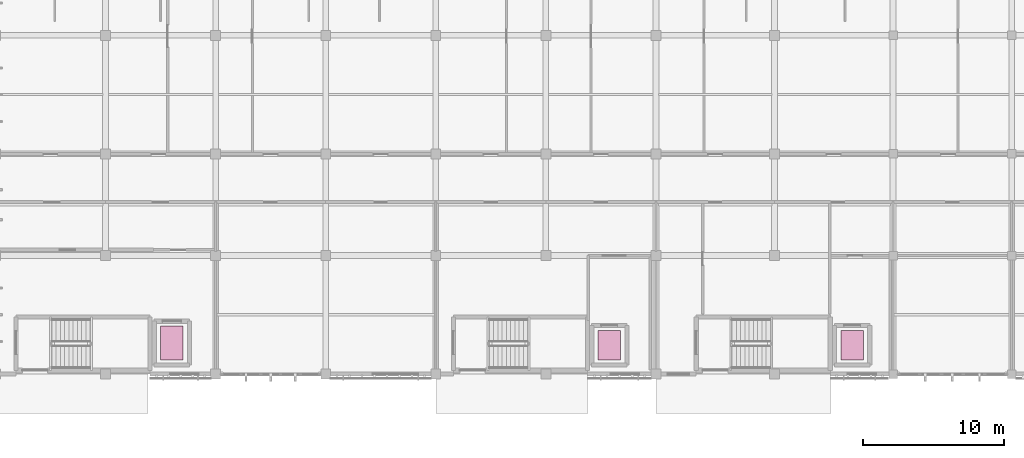
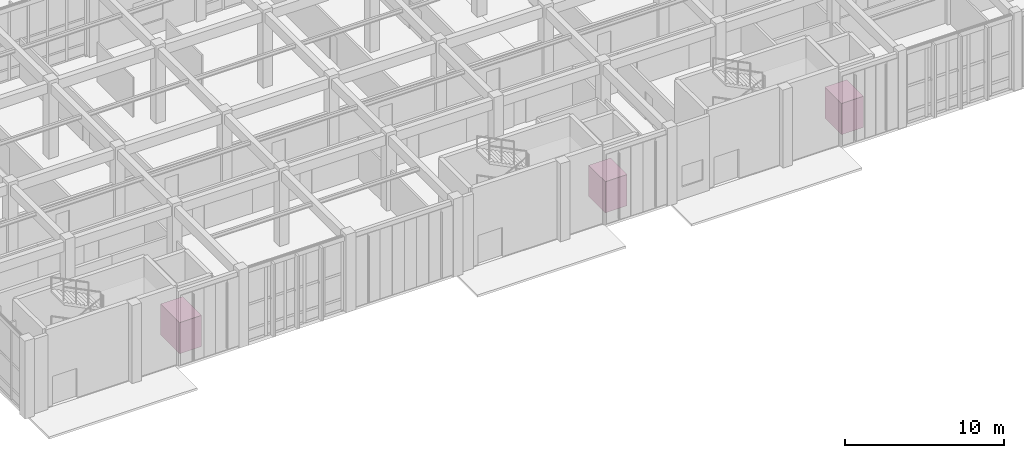
# One storey, part 110 of 110: 3 transport elements.
"""IFC4 building model written with IfcOpenShell, lengths in metres."""

from ifc_helpers import new_model, si_unit, direction, frame, origin, origin_2d, place, context, subcontext, project, spatial, rectangle, extrude, material, type_object, element, save


model = new_model("IFC4")

# Units and contexts
model_context = context("Model", 3, precision=1e-05, world=origin(), true_north=direction((0.0, 1.0)))
body_context = subcontext(model_context, "Body", "Model", "MODEL_VIEW")
ifc_project = project(units=[si_unit("LENGTHUNIT", "METRE"), si_unit("AREAUNIT", "SQUARE_METRE"), si_unit("VOLUMEUNIT", "CUBIC_METRE"), si_unit("PLANEANGLEUNIT", "RADIAN"), si_unit("MASSUNIT", "GRAM", prefix="KILO")], contexts=[model_context])

# Site, building, storey
site_placement = place(None, origin())
site = spatial("IfcSite", under=ifc_project, at=site_placement, CompositionType="ELEMENT")
building_placement = place(site_placement, origin())
building = spatial("IfcBuilding", under=site, at=building_placement, Name="Tizgana Railside Sports Hall", CompositionType="ELEMENT")
storey_placement = place(building_placement, origin())
storey = spatial("IfcBuildingStorey", under=building, at=storey_placement, Name="L00", CompositionType="ELEMENT", Elevation=0.0)

# Transport elements
ifc_material = material(Name="Brushed stainless steel", Category="steel")
transport_element_type_1 = type_object("IfcTransportElementType", Name="Accessible Passenger Lift 1600kg", PredefinedType="ELEVATOR", material=ifc_material)
for number, where, z_axis, x_axis, name in (
    (1, (51.300048828125, 2.050048828125, 0.0), (0.0, 0.0, 1.0), (1.0, 0.0, 0.0), "Passenger Lift LP-01"),
    (2, (68.5, 2.050048828125, 0.0), (0.0, 0.0, 1.0), (1.0, 0.0, 0.0), "Passenger Lift LP-02"),
):
    element("IfcTransportElement", number, at=place(storey_placement, frame(where, z_axis=z_axis, x_axis=x_axis)), inside=storey, type_object=transport_element_type_1, Name=name, PredefinedType="ELEVATOR", context=body_context, shape_type="SweptSolid", body=[
        extrude(rectangle(XDim=1.60009765625, YDim=2.10009765625, at=origin_2d()), origin(), (0.0, 0.0, 1.0), 2.39990234375),
    ])
transport_element_type_2 = type_object("IfcTransportElementType", Name="Firefighters Stretcher Lift 2000kg", PredefinedType="ELEVATOR", material=ifc_material)
transport_element_placement = place(storey_placement, frame((20.300048828125, 2.199951171875, 0.0), z_axis=(0.0, 0.0, 1.0), x_axis=(1.0, 0.0, 0.0)))
element("IfcTransportElement", 3, at=transport_element_placement, inside=storey, type_object=transport_element_type_2, Name="Firefighters Lift LF-01", PredefinedType="ELEVATOR", context=body_context, shape_type="SweptSolid", body=[
    extrude(rectangle(XDim=1.60009765625, YDim=2.39990234375, at=origin_2d()), origin(), (0.0, 0.0, 1.0), 2.39990234375),
])

save(model, "model.ifc")
